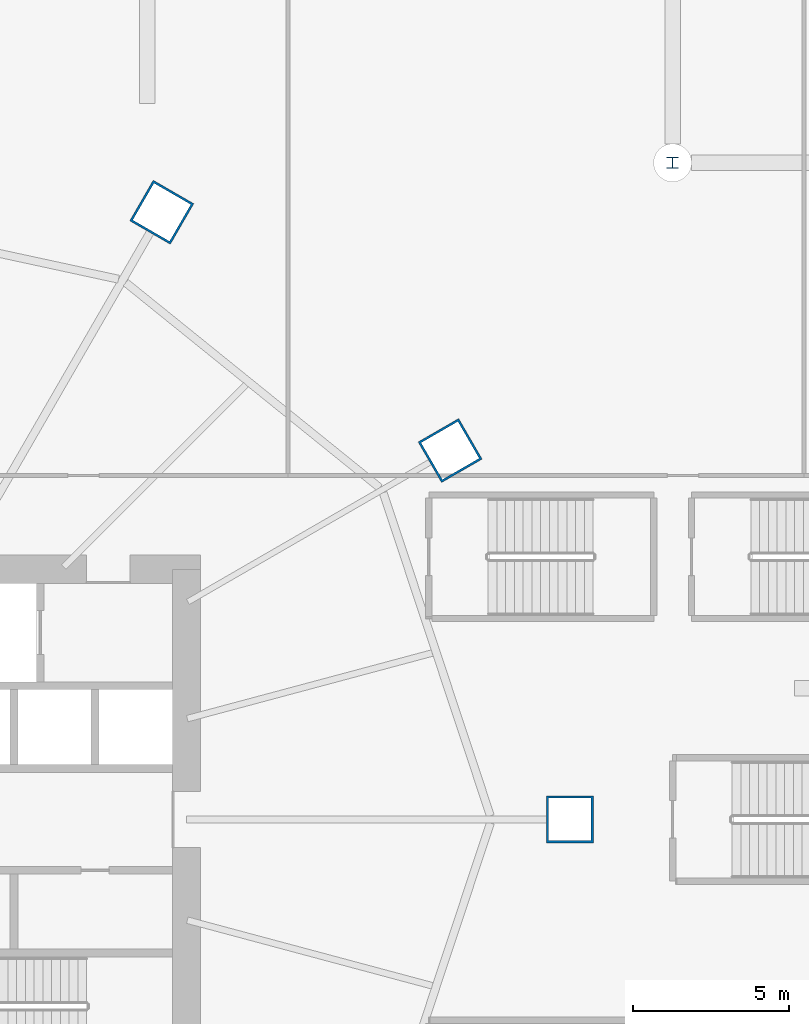
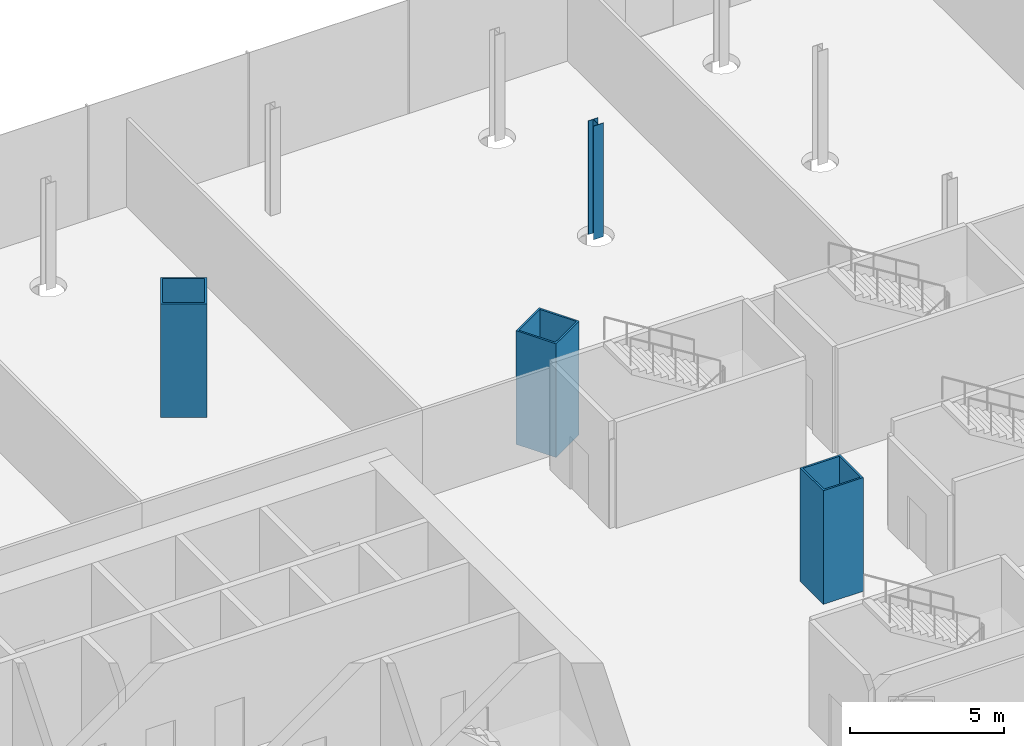
# One storey, part 4 of 56: 4 columns.
"""IFC4 building model written with IfcOpenShell, lengths in metres."""

from ifc_helpers import new_model, si_unit, direction, frame, origin, origin_2d, place, context, subcontext, project, spatial, hollow_rectangle, i_section, extrude, material, material_profile, profile_set, type_object, element, save


model = new_model("IFC4")

# Units and contexts
model_context = context("Model", 3, precision=1e-05, world=origin(), true_north=direction((0.0, 1.0)))
body_context = subcontext(model_context, "Body", "Model", "MODEL_VIEW")
ifc_project = project(units=[si_unit("LENGTHUNIT", "METRE"), si_unit("AREAUNIT", "SQUARE_METRE"), si_unit("VOLUMEUNIT", "CUBIC_METRE"), si_unit("PLANEANGLEUNIT", "RADIAN"), si_unit("MASSUNIT", "GRAM", prefix="KILO")], contexts=[model_context])

# Site, building, storey
site_placement = place(None, origin())
site = spatial("IfcSite", under=ifc_project, at=site_placement, CompositionType="ELEMENT")
building_placement = place(site_placement, origin())
building = spatial("IfcBuilding", under=site, at=building_placement, Name="Rimbun Link Towers", CompositionType="ELEMENT")
storey_placement = place(building_placement, frame((0.0, 0.0, 16.5)))
storey = spatial("IfcBuildingStorey", under=building, at=storey_placement, Name="L03", CompositionType="ELEMENT", Elevation=16.5)

# Columns
ifc_material_1 = material(Name="Steel S460N", Category="steel")
ifc_material_profile_1 = material_profile(ifc_material_1, hollow_rectangle(XDim=1.5, YDim=1.5, WallThickness=0.070068359375, at=origin_2d()), Name="BOX 1500x1500x70")
ifc_profile_set_1 = profile_set([ifc_material_profile_1], Name="Steel S460N")
column_type_1 = type_object("IfcColumnType", Name="BOX 1500x1500x70", PredefinedType="COLUMN", material=ifc_profile_set_1)
for number, where, z_axis, x_axis, name in (
    (1, (-7.4873046875, 0.0, 0.0), (0.0, 0.0, 1.0), (1.0, 0.0, 0.0), "Mega column T1 L03 00"),
    (2, (-11.316650390625, 11.797119140625, 0.0), (0.0, 0.0, 1.0), (0.866025403784, 0.5, 0.0), "Mega column T1 L03 02"),
    (3, (-20.538818359375, 19.418212890625, 0.0), (0.0, 0.0, 1.0), (0.5, 0.866025403784, 0.0), "Mega column T1 L03 04"),
):
    element("IfcColumn", number, at=place(storey_placement, frame(where, z_axis=z_axis, x_axis=x_axis)), inside=storey, type_object=column_type_1, Name=name, PredefinedType="COLUMN", context=body_context, shape_type="SweptSolid", body=[
        extrude(hollow_rectangle(XDim=1.5, YDim=1.5, WallThickness=0.070068359375, at=origin_2d()), origin(), (0.0, 0.0, 1.0), 4.5),
    ])
ifc_material_2 = material(Name="Steel S355J2", Category="steel")
ifc_material_profile_2 = material_profile(ifc_material_2, i_section(OverallWidth=0.37060546875, OverallDepth=0.362060546875, WebThickness=0.01220703125, FlangeThickness=0.020751953125, at=origin_2d()), Name="UC 356x368x153")
ifc_profile_set_2 = profile_set([ifc_material_profile_2], Name="Steel S355J2")
column_type_2 = type_object("IfcColumnType", Name="UC 356x368x153", PredefinedType="COLUMN", material=ifc_profile_set_2)
column_placement = place(storey_placement, frame((-4.199951171875, 21.0, 0.0), z_axis=(0.0, 0.0, 1.0), x_axis=(1.0, 0.0, 0.0)))
element("IfcColumn", 4, at=column_placement, inside=storey, type_object=column_type_2, Name="Column L03 -4.2 +21.0", PredefinedType="COLUMN", context=body_context, shape_type="SweptSolid", body=[
    extrude(i_section(OverallWidth=0.37060546875, OverallDepth=0.362060546875, WebThickness=0.01220703125, FlangeThickness=0.020751953125, at=origin_2d()), origin(), (0.0, 0.0, 1.0), 4.5),
])

save(model, "model.ifc")
